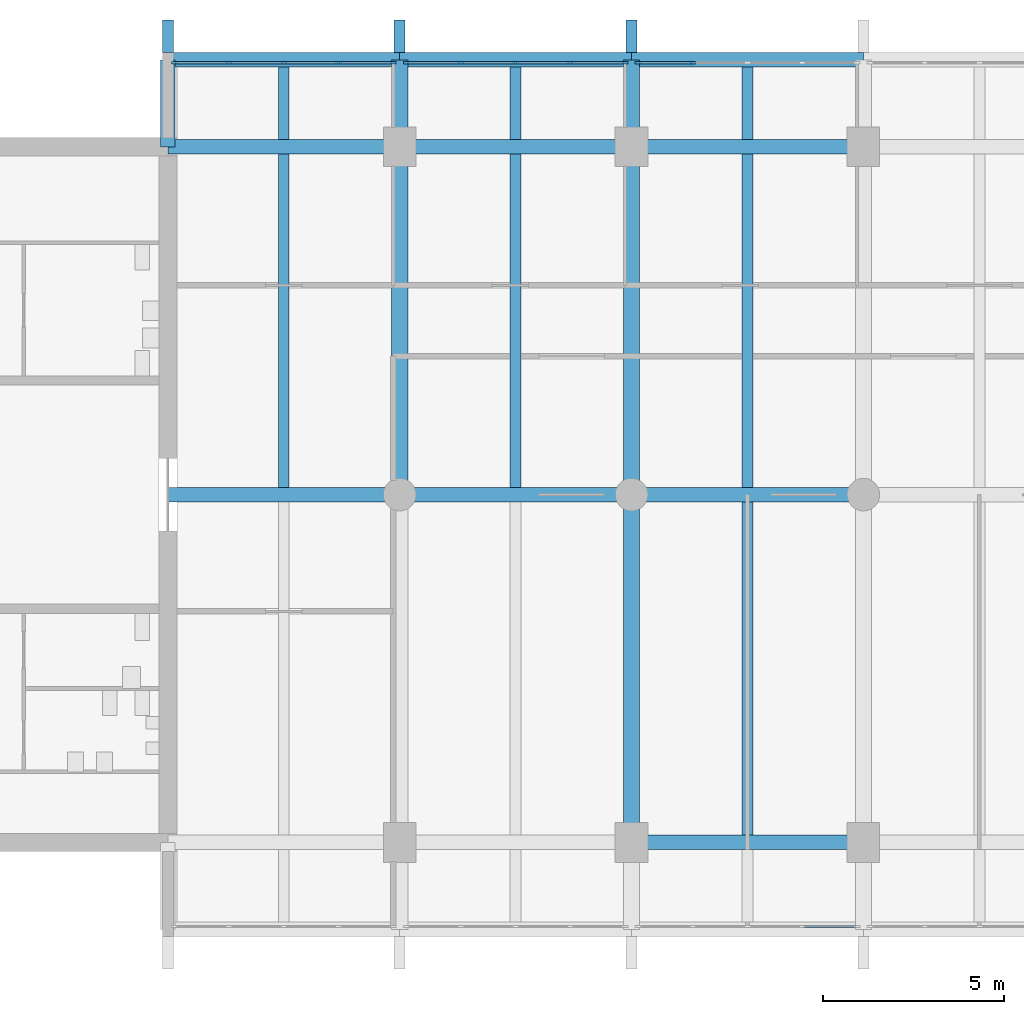
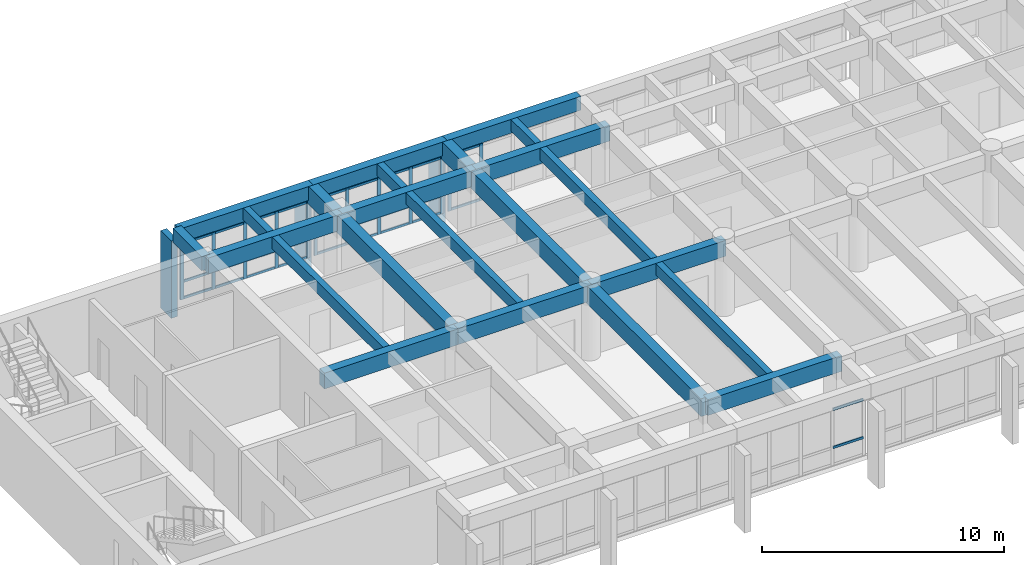
# One storey, part 3 of 15: 44 members, 23 beams, 4 elements without a shape of their own.
"""IFC4 building model written with IfcOpenShell, lengths in metres."""

from ifc_helpers import new_model, si_unit, direction, frame, origin, origin_2d, place, context, subcontext, project, spatial, rectangle, extrude, material, layer, layer_set, material_profile, profile_set, type_object, element, aggregate, save


model = new_model("IFC4")

# Units and contexts
model_context = context("Model", 3, precision=1e-05, world=origin(), true_north=direction((0.0, 1.0)))
body_context = subcontext(model_context, "Body", "Model", "MODEL_VIEW")
ifc_project = project(units=[si_unit("LENGTHUNIT", "METRE"), si_unit("AREAUNIT", "SQUARE_METRE"), si_unit("VOLUMEUNIT", "CUBIC_METRE"), si_unit("PLANEANGLEUNIT", "RADIAN"), si_unit("MASSUNIT", "GRAM", prefix="KILO")], contexts=[model_context])

# Site, building, storey
site_placement = place(None, origin())
site = spatial("IfcSite", under=ifc_project, at=site_placement, CompositionType="ELEMENT")
building_placement = place(site_placement, origin())
building = spatial("IfcBuilding", under=site, at=building_placement, Name="Fogon Plaza Fire Station and Headquarters Tower", CompositionType="ELEMENT")
storey_placement = place(building_placement, frame((0.0, 0.0, 44.39990234375)))
storey = spatial("IfcBuildingStorey", under=building, at=storey_placement, Name="L11", CompositionType="ELEMENT", Elevation=44.39990234375)

# Beams
ifc_material_1 = material(Name="Concrete C40", Category="concrete")
ifc_material_profile_1 = material_profile(ifc_material_1, rectangle(XDim=0.39990234375, YDim=0.699951171875, at=origin_2d()), Name="RC 400x700")
ifc_profile_set_1 = profile_set([ifc_material_profile_1], Name="Concrete C40")
beam_type_1 = type_object("IfcBeamType", Name="BEAM RC 400x700", PredefinedType="BEAM", material=ifc_profile_set_1)
for number, where, z_axis, x_axis, name in (
    (1, (25.60009765625, 55.199951171875, 3.330078125), (1.0, 0.0, 0.0), (0.0, 1.0, 0.0), "beam-L11-045"),
    (2, (32.0, 55.199951171875, 3.330078125), (1.0, 0.0, 0.0), (0.0, 1.0, 0.0), "beam-L11-046"),
):
    element("IfcBeam", number, at=place(storey_placement, frame(where, z_axis=z_axis, x_axis=x_axis)), inside=storey, type_object=beam_type_1, Name=name, PredefinedType="BEAM", context=body_context, shape_type="SweptSolid", body=[
        extrude(rectangle(XDim=0.39990234375, YDim=0.699951171875, at=origin_2d()), origin(), (0.0, 0.0, 1.0), 6.39990234375),
    ])
beam_1_placement = place(storey_placement, frame((38.39990234375, 55.199951171875, 3.330078125), z_axis=(1.0, 0.0, 0.0), x_axis=(0.0, 1.0, 0.0)))
element("IfcBeam", 3, at=beam_1_placement, inside=storey, type_object=beam_type_1, Name="beam-L11-047", PredefinedType="BEAM", context=body_context, shape_type="SweptSolid", body=[
    extrude(rectangle(XDim=0.39990234375, YDim=0.699951171875, at=origin_2d()), origin(), (0.0, 0.0, 1.0), 6.400146484375),
])
ifc_material_2 = material(Name="Concrete C40", Category="concrete")
ifc_material_profile_2 = material_profile(ifc_material_2, rectangle(XDim=0.39990234375, YDim=0.699951171875, at=origin_2d()), Name="RC 400x700")
ifc_profile_set_2 = profile_set([ifc_material_profile_2], Name="Concrete C40")
beam_type_2 = type_object("IfcBeamType", Name="BEAM RC 400x700 SPAN 0.0 TO 3.0 M", PredefinedType="BEAM", material=ifc_profile_set_2)
beam_2_placement = place(storey_placement, frame((25.60009765625, 52.800048828125, 3.330078125), z_axis=(0.0, 1.0, 0.0), x_axis=(-1.0, 0.0, 0.0)))
element("IfcBeam", 4, at=beam_2_placement, inside=storey, type_object=beam_type_2, Name="beam-L11-052", PredefinedType="BEAM", context=body_context, shape_type="SweptSolid", body=[
    extrude(rectangle(XDim=0.39990234375, YDim=0.699951171875, at=origin_2d()), origin(), (0.0, 0.0, 1.0), 2.39990234375),
])
ifc_material_3 = material(Name="Concrete C40", Category="concrete")
ifc_material_profile_3 = material_profile(ifc_material_3, rectangle(XDim=0.39990234375, YDim=0.800048828125, at=origin_2d()), Name="RC 400x800")
ifc_profile_set_3 = profile_set([ifc_material_profile_3], Name="Concrete C40")
beam_type_3 = type_object("IfcBeamType", Name="BEAM RC 400x800", PredefinedType="BEAM", material=ifc_profile_set_3)
beam_3_placement = place(storey_placement, frame((38.39990234375, 33.60009765625, 3.280029296875), z_axis=(1.0, 0.0, 0.0), x_axis=(0.0, 1.0, 0.0)))
element("IfcBeam", 5, at=beam_3_placement, inside=storey, type_object=beam_type_3, Name="beam-L11-023", PredefinedType="BEAM", context=body_context, shape_type="SweptSolid", body=[
    extrude(rectangle(XDim=0.39990234375, YDim=0.800048828125, at=origin_2d()), origin(), (0.0, 0.0, 1.0), 6.400146484375),
])
for number, where, z_axis, x_axis, name in (
    (6, (25.60009765625, 43.199951171875, 3.280029296875), (1.0, 0.0, 0.0), (0.0, 1.0, 0.0), "beam-L11-027"),
    (7, (32.0, 43.199951171875, 3.280029296875), (1.0, 0.0, 0.0), (0.0, 1.0, 0.0), "beam-L11-028"),
):
    element("IfcBeam", number, at=place(storey_placement, frame(where, z_axis=z_axis, x_axis=x_axis)), inside=storey, type_object=beam_type_3, Name=name, PredefinedType="BEAM", context=body_context, shape_type="SweptSolid", body=[
        extrude(rectangle(XDim=0.39990234375, YDim=0.800048828125, at=origin_2d()), origin(), (0.0, 0.0, 1.0), 6.39990234375),
    ])
beam_4_placement = place(storey_placement, frame((38.39990234375, 43.199951171875, 3.280029296875), z_axis=(1.0, 0.0, 0.0), x_axis=(0.0, 1.0, 0.0)))
element("IfcBeam", 8, at=beam_4_placement, inside=storey, type_object=beam_type_3, Name="beam-L11-029", PredefinedType="BEAM", context=body_context, shape_type="SweptSolid", body=[
    extrude(rectangle(XDim=0.39990234375, YDim=0.800048828125, at=origin_2d()), origin(), (0.0, 0.0, 1.0), 6.400146484375),
])
for number, where, z_axis, x_axis, name in (
    (9, (25.60009765625, 52.800048828125, 3.280029296875), (1.0, 0.0, 0.0), (0.0, 1.0, 0.0), "beam-L11-033"),
    (10, (32.0, 52.800048828125, 3.280029296875), (1.0, 0.0, 0.0), (0.0, 1.0, 0.0), "beam-L11-034"),
):
    element("IfcBeam", number, at=place(storey_placement, frame(where, z_axis=z_axis, x_axis=x_axis)), inside=storey, type_object=beam_type_3, Name=name, PredefinedType="BEAM", context=body_context, shape_type="SweptSolid", body=[
        extrude(rectangle(XDim=0.39990234375, YDim=0.800048828125, at=origin_2d()), origin(), (0.0, 0.0, 1.0), 6.39990234375),
    ])
beam_5_placement = place(storey_placement, frame((38.39990234375, 52.800048828125, 3.280029296875), z_axis=(1.0, 0.0, 0.0), x_axis=(0.0, 1.0, 0.0)))
element("IfcBeam", 11, at=beam_5_placement, inside=storey, type_object=beam_type_3, Name="beam-L11-035", PredefinedType="BEAM", context=body_context, shape_type="SweptSolid", body=[
    extrude(rectangle(XDim=0.39990234375, YDim=0.800048828125, at=origin_2d()), origin(), (0.0, 0.0, 1.0), 6.400146484375),
])
ifc_material_4 = material(Name="Concrete C40", Category="concrete")
ifc_material_profile_4 = material_profile(ifc_material_4, rectangle(XDim=0.449951171875, YDim=0.89990234375, at=origin_2d()), Name="RC 450x900")
ifc_profile_set_4 = profile_set([ifc_material_profile_4], Name="Concrete C40")
beam_type_4 = type_object("IfcBeamType", Name="BEAM RC 450x900", PredefinedType="BEAM", material=ifc_profile_set_4)
beam_6_placement = place(storey_placement, frame((32.0, 43.199951171875, 3.22998046875), z_axis=(0.0, 1.0, 0.0), x_axis=(-1.0, 0.0, 0.0)))
element("IfcBeam", 12, at=beam_6_placement, inside=storey, type_object=beam_type_4, Name="beam-L11-003", PredefinedType="BEAM", context=body_context, shape_type="SweptSolid", body=[
    extrude(rectangle(XDim=0.449951171875, YDim=0.89990234375, at=origin_2d()), origin(), (0.0, 0.0, 1.0), 9.60009765625),
])
beam_7_placement = place(storey_placement, frame((38.39990234375, 33.60009765625, 3.22998046875), z_axis=(0.0, 1.0, 0.0), x_axis=(-1.0, 0.0, 0.0)))
element("IfcBeam", 13, at=beam_7_placement, inside=storey, type_object=beam_type_4, Name="beam-L11-006", PredefinedType="BEAM", context=body_context, shape_type="SweptSolid", body=[
    extrude(rectangle(XDim=0.449951171875, YDim=0.89990234375, at=origin_2d()), origin(), (0.0, 0.0, 1.0), 9.599853515625),
])
beam_8_placement = place(storey_placement, frame((38.39990234375, 43.199951171875, 3.22998046875), z_axis=(0.0, 1.0, 0.0), x_axis=(-1.0, 0.0, 0.0)))
element("IfcBeam", 14, at=beam_8_placement, inside=storey, type_object=beam_type_4, Name="beam-L11-007", PredefinedType="BEAM", context=body_context, shape_type="SweptSolid", body=[
    extrude(rectangle(XDim=0.449951171875, YDim=0.89990234375, at=origin_2d()), origin(), (0.0, 0.0, 1.0), 9.60009765625),
])
ifc_material_5 = material(Name="Concrete C40", Category="concrete")
ifc_material_profile_5 = material_profile(ifc_material_5, rectangle(XDim=0.449951171875, YDim=0.89990234375, at=origin_2d()), Name="RC 450x900")
ifc_profile_set_5 = profile_set([ifc_material_profile_5], Name="Concrete C40")
beam_type_5 = type_object("IfcBeamType", Name="BEAM RC 450x900 SPAN 0.0 TO 3.0 M", PredefinedType="BEAM", material=ifc_profile_set_5)
for number, where, z_axis, x_axis, name in (
    (15, (32.0, 52.800048828125, 3.22998046875), (0.0, 1.0, 0.0), (-1.0, 0.0, 0.0), "beam-L11-004"),
    (16, (38.39990234375, 52.800048828125, 3.22998046875), (0.0, 1.0, 0.0), (-1.0, 0.0, 0.0), "beam-L11-008"),
):
    element("IfcBeam", number, at=place(storey_placement, frame(where, z_axis=z_axis, x_axis=x_axis)), inside=storey, type_object=beam_type_5, Name=name, PredefinedType="BEAM", context=body_context, shape_type="SweptSolid", body=[
        extrude(rectangle(XDim=0.449951171875, YDim=0.89990234375, at=origin_2d()), origin(), (0.0, 0.0, 1.0), 2.39990234375),
    ])

# Curtain wall, members
ifc_material_6 = material(Name="Aluminium and glass", Category="aluminium")
ifc_layer = layer(ifc_material_6, 0.14990234375)
ifc_layer_set = layer_set([ifc_layer], Name="Aluminium and glass")
curtain_wall_type = type_object("IfcCurtainWallType", Name="Unitised Curtain Wall Run 6100x2880", PredefinedType="NOTDEFINED", material=ifc_layer_set)
curtain_wall_1_placement = place(storey_placement, origin())
curtain_wall_1 = element("IfcCurtainWall", 17, at=curtain_wall_1_placement, inside=storey, type_object=curtain_wall_type, Name="CW-6100x2880 N1 L11", PredefinedType="NOTDEFINED")
ifc_material_7 = material(Name="Aluminium", Category="aluminium")
ifc_material_profile_6 = material_profile(ifc_material_7, rectangle(XDim=0.06005859375, YDim=0.159912109375, at=origin_2d()), Name="Curtain Wall Mullion 60x160")
ifc_profile_set_6 = profile_set([ifc_material_profile_6], Name="Aluminium")
member_type_1 = type_object("IfcMemberType", Name="Curtain Wall Mullion 60x160", PredefinedType="MULLION", material=ifc_profile_set_6)
member_1_placement = place(storey_placement, frame((25.780029296875, 55.1201171875, 0.0), z_axis=(0.0, 0.0, 1.0), x_axis=(0.0, 1.0, 0.0)))
member_1 = element("IfcMember", 18, at=member_1_placement, type_object=member_type_1, Name="CW-6100x2880 mullion 1", PredefinedType="MULLION", context=body_context, shape_type="SweptSolid", body=[
    extrude(rectangle(XDim=0.06005859375, YDim=0.159912109375, at=origin_2d()), origin(), (0.0, 0.0, 1.0), 2.880126953125),
])
member_2_placement = place(storey_placement, frame((27.2900390625, 55.1201171875, 0.0), z_axis=(0.0, 0.0, 1.0), x_axis=(0.0, 1.0, 0.0)))
member_2 = element("IfcMember", 19, at=member_2_placement, type_object=member_type_1, Name="CW-6100x2880 mullion 2", PredefinedType="MULLION", context=body_context, shape_type="SweptSolid", body=[
    extrude(rectangle(XDim=0.06005859375, YDim=0.159912109375, at=origin_2d()), origin(), (0.0, 0.0, 1.0), 2.880126953125),
])
member_3_placement = place(storey_placement, frame((28.800048828125, 55.1201171875, 0.0), z_axis=(0.0, 0.0, 1.0), x_axis=(0.0, 1.0, 0.0)))
member_3 = element("IfcMember", 20, at=member_3_placement, type_object=member_type_1, Name="CW-6100x2880 mullion 3", PredefinedType="MULLION", context=body_context, shape_type="SweptSolid", body=[
    extrude(rectangle(XDim=0.06005859375, YDim=0.159912109375, at=origin_2d()), origin(), (0.0, 0.0, 1.0), 2.880126953125),
])
member_4_placement = place(storey_placement, frame((30.31005859375, 55.1201171875, 0.0), z_axis=(0.0, 0.0, 1.0), x_axis=(0.0, 1.0, 0.0)))
member_4 = element("IfcMember", 21, at=member_4_placement, type_object=member_type_1, Name="CW-6100x2880 mullion 4", PredefinedType="MULLION", context=body_context, shape_type="SweptSolid", body=[
    extrude(rectangle(XDim=0.06005859375, YDim=0.159912109375, at=origin_2d()), origin(), (0.0, 0.0, 1.0), 2.880126953125),
])
member_5_placement = place(storey_placement, frame((31.820068359375, 55.1201171875, 0.0), z_axis=(0.0, 0.0, 1.0), x_axis=(0.0, 1.0, 0.0)))
member_5 = element("IfcMember", 22, at=member_5_placement, type_object=member_type_1, Name="CW-6100x2880 mullion 5", PredefinedType="MULLION", context=body_context, shape_type="SweptSolid", body=[
    extrude(rectangle(XDim=0.06005859375, YDim=0.159912109375, at=origin_2d()), origin(), (0.0, 0.0, 1.0), 2.880126953125),
])

curtain_wall_2_placement = place(storey_placement, origin())
curtain_wall_2 = element("IfcCurtainWall", 23, at=curtain_wall_2_placement, inside=storey, type_object=curtain_wall_type, Name="CW-6100x2880 N2 L11", PredefinedType="NOTDEFINED")
member_6_placement = place(storey_placement, frame((32.179931640625, 55.1201171875, 0.0), z_axis=(0.0, 0.0, 1.0), x_axis=(0.0, 1.0, 0.0)))
member_6 = element("IfcMember", 24, at=member_6_placement, type_object=member_type_1, Name="CW-6100x2880 mullion 1", PredefinedType="MULLION", context=body_context, shape_type="SweptSolid", body=[
    extrude(rectangle(XDim=0.06005859375, YDim=0.159912109375, at=origin_2d()), origin(), (0.0, 0.0, 1.0), 2.880126953125),
])
member_7_placement = place(storey_placement, frame((33.68994140625, 55.1201171875, 0.0), z_axis=(0.0, 0.0, 1.0), x_axis=(0.0, 1.0, 0.0)))
member_7 = element("IfcMember", 25, at=member_7_placement, type_object=member_type_1, Name="CW-6100x2880 mullion 2", PredefinedType="MULLION", context=body_context, shape_type="SweptSolid", body=[
    extrude(rectangle(XDim=0.06005859375, YDim=0.159912109375, at=origin_2d()), origin(), (0.0, 0.0, 1.0), 2.880126953125),
])
member_8_placement = place(storey_placement, frame((35.199951171875, 55.1201171875, 0.0), z_axis=(0.0, 0.0, 1.0), x_axis=(0.0, 1.0, 0.0)))
member_8 = element("IfcMember", 26, at=member_8_placement, type_object=member_type_1, Name="CW-6100x2880 mullion 3", PredefinedType="MULLION", context=body_context, shape_type="SweptSolid", body=[
    extrude(rectangle(XDim=0.06005859375, YDim=0.159912109375, at=origin_2d()), origin(), (0.0, 0.0, 1.0), 2.880126953125),
])
member_9_placement = place(storey_placement, frame((36.7099609375, 55.1201171875, 0.0), z_axis=(0.0, 0.0, 1.0), x_axis=(0.0, 1.0, 0.0)))
member_9 = element("IfcMember", 27, at=member_9_placement, type_object=member_type_1, Name="CW-6100x2880 mullion 4", PredefinedType="MULLION", context=body_context, shape_type="SweptSolid", body=[
    extrude(rectangle(XDim=0.06005859375, YDim=0.159912109375, at=origin_2d()), origin(), (0.0, 0.0, 1.0), 2.880126953125),
])
member_10_placement = place(storey_placement, frame((38.219970703125, 55.1201171875, 0.0), z_axis=(0.0, 0.0, 1.0), x_axis=(0.0, 1.0, 0.0)))
member_10 = element("IfcMember", 28, at=member_10_placement, type_object=member_type_1, Name="CW-6100x2880 mullion 5", PredefinedType="MULLION", context=body_context, shape_type="SweptSolid", body=[
    extrude(rectangle(XDim=0.06005859375, YDim=0.159912109375, at=origin_2d()), origin(), (0.0, 0.0, 1.0), 2.880126953125),
])

curtain_wall_3_placement = place(storey_placement, origin())
curtain_wall_3 = element("IfcCurtainWall", 29, at=curtain_wall_3_placement, inside=storey, type_object=curtain_wall_type, Name="CW-6100x2880 N3 L11", PredefinedType="NOTDEFINED")
member_11_placement = place(storey_placement, frame((38.580078125, 55.1201171875, 0.0), z_axis=(0.0, 0.0, 1.0), x_axis=(0.0, 1.0, 0.0)))
member_11 = element("IfcMember", 30, at=member_11_placement, type_object=member_type_1, Name="CW-6100x2880 mullion 1", PredefinedType="MULLION", context=body_context, shape_type="SweptSolid", body=[
    extrude(rectangle(XDim=0.06005859375, YDim=0.159912109375, at=origin_2d()), origin(), (0.0, 0.0, 1.0), 2.880126953125),
])
member_12_placement = place(storey_placement, frame((40.090087890625, 55.1201171875, 0.0), z_axis=(0.0, 0.0, 1.0), x_axis=(0.0, 1.0, 0.0)))
member_12 = element("IfcMember", 31, at=member_12_placement, type_object=member_type_1, Name="CW-6100x2880 mullion 2", PredefinedType="MULLION", context=body_context, shape_type="SweptSolid", body=[
    extrude(rectangle(XDim=0.06005859375, YDim=0.159912109375, at=origin_2d()), origin(), (0.0, 0.0, 1.0), 2.880126953125),
])

curtain_wall_4_placement = place(storey_placement, origin())
curtain_wall_4 = element("IfcCurtainWall", 32, at=curtain_wall_4_placement, inside=storey, type_object=curtain_wall_type, Name="CW-6100x2880 S3 L11", PredefinedType="NOTDEFINED")
ifc_material_8 = material(Name="Aluminium", Category="aluminium")
ifc_material_profile_7 = material_profile(ifc_material_8, rectangle(XDim=0.06005859375, YDim=0.1201171875, at=origin_2d()), Name="Curtain Wall Transom 60x120")
ifc_profile_set_7 = profile_set([ifc_material_profile_7], Name="Aluminium")
member_type_2 = type_object("IfcMemberType", Name="Curtain Wall Transom 60x120", PredefinedType="USERDEFINED", material=ifc_profile_set_7)
member_13_placement = place(storey_placement, frame((43.139892578125, 31.280029296875, 0.900146484375), z_axis=(1.0, 0.0, 0.0), x_axis=(0.0, 1.0, 0.0)))
member_13 = element("IfcMember", 33, at=member_13_placement, type_object=member_type_2, Name="CW-6100x2880 transom 4.2", ObjectType="TRANSOM", PredefinedType="USERDEFINED", context=body_context, shape_type="SweptSolid", body=[
    extrude(rectangle(XDim=0.06005859375, YDim=0.1201171875, at=origin_2d()), origin(), (0.0, 0.0, 1.0), 1.4501953125),
])
member_14_placement = place(storey_placement, frame((43.139892578125, 31.280029296875, 2.820068359375), z_axis=(1.0, 0.0, 0.0), x_axis=(0.0, 1.0, 0.0)))
member_14 = element("IfcMember", 34, at=member_14_placement, type_object=member_type_2, Name="CW-6100x2880 transom 4.3", ObjectType="TRANSOM", PredefinedType="USERDEFINED", context=body_context, shape_type="SweptSolid", body=[
    extrude(rectangle(XDim=0.06005859375, YDim=0.1201171875, at=origin_2d()), origin(), (0.0, 0.0, 1.0), 1.4501953125),
])
aggregate(curtain_wall_4, [member_13, member_14])

# Member
member_15_placement = place(storey_placement, frame((25.81005859375, 55.1201171875, 0.06005859375), z_axis=(1.0, 0.0, 0.0), x_axis=(0.0, 1.0, 0.0)))
member_15 = element("IfcMember", 35, at=member_15_placement, type_object=member_type_2, Name="CW-6100x2880 transom 1.1", ObjectType="TRANSOM", PredefinedType="USERDEFINED", context=body_context, shape_type="SweptSolid", body=[
    extrude(rectangle(XDim=0.06005859375, YDim=0.1201171875, at=origin_2d()), origin(), (0.0, 0.0, 1.0), 1.449951171875),
])

member_16_placement = place(storey_placement, frame((25.81005859375, 55.1201171875, 0.900146484375), z_axis=(1.0, 0.0, 0.0), x_axis=(0.0, 1.0, 0.0)))
member_16 = element("IfcMember", 36, at=member_16_placement, type_object=member_type_2, Name="CW-6100x2880 transom 1.2", ObjectType="TRANSOM", PredefinedType="USERDEFINED", context=body_context, shape_type="SweptSolid", body=[
    extrude(rectangle(XDim=0.06005859375, YDim=0.1201171875, at=origin_2d()), origin(), (0.0, 0.0, 1.0), 1.449951171875),
])

member_17_placement = place(storey_placement, frame((25.81005859375, 55.1201171875, 2.820068359375), z_axis=(1.0, 0.0, 0.0), x_axis=(0.0, 1.0, 0.0)))
member_17 = element("IfcMember", 37, at=member_17_placement, type_object=member_type_2, Name="CW-6100x2880 transom 1.3", ObjectType="TRANSOM", PredefinedType="USERDEFINED", context=body_context, shape_type="SweptSolid", body=[
    extrude(rectangle(XDim=0.06005859375, YDim=0.1201171875, at=origin_2d()), origin(), (0.0, 0.0, 1.0), 1.449951171875),
])

member_18_placement = place(storey_placement, frame((27.320068359375, 55.1201171875, 0.06005859375), z_axis=(1.0, 0.0, 0.0), x_axis=(0.0, 1.0, 0.0)))
member_18 = element("IfcMember", 38, at=member_18_placement, type_object=member_type_2, Name="CW-6100x2880 transom 2.1", ObjectType="TRANSOM", PredefinedType="USERDEFINED", context=body_context, shape_type="SweptSolid", body=[
    extrude(rectangle(XDim=0.06005859375, YDim=0.1201171875, at=origin_2d()), origin(), (0.0, 0.0, 1.0), 1.449951171875),
])

member_19_placement = place(storey_placement, frame((27.320068359375, 55.1201171875, 0.900146484375), z_axis=(1.0, 0.0, 0.0), x_axis=(0.0, 1.0, 0.0)))
member_19 = element("IfcMember", 39, at=member_19_placement, type_object=member_type_2, Name="CW-6100x2880 transom 2.2", ObjectType="TRANSOM", PredefinedType="USERDEFINED", context=body_context, shape_type="SweptSolid", body=[
    extrude(rectangle(XDim=0.06005859375, YDim=0.1201171875, at=origin_2d()), origin(), (0.0, 0.0, 1.0), 1.449951171875),
])

member_20_placement = place(storey_placement, frame((27.320068359375, 55.1201171875, 2.820068359375), z_axis=(1.0, 0.0, 0.0), x_axis=(0.0, 1.0, 0.0)))
member_20 = element("IfcMember", 40, at=member_20_placement, type_object=member_type_2, Name="CW-6100x2880 transom 2.3", ObjectType="TRANSOM", PredefinedType="USERDEFINED", context=body_context, shape_type="SweptSolid", body=[
    extrude(rectangle(XDim=0.06005859375, YDim=0.1201171875, at=origin_2d()), origin(), (0.0, 0.0, 1.0), 1.449951171875),
])

member_21_placement = place(storey_placement, frame((28.830078125, 55.1201171875, 0.06005859375), z_axis=(1.0, 0.0, 0.0), x_axis=(0.0, 1.0, 0.0)))
member_21 = element("IfcMember", 41, at=member_21_placement, type_object=member_type_2, Name="CW-6100x2880 transom 3.1", ObjectType="TRANSOM", PredefinedType="USERDEFINED", context=body_context, shape_type="SweptSolid", body=[
    extrude(rectangle(XDim=0.06005859375, YDim=0.1201171875, at=origin_2d()), origin(), (0.0, 0.0, 1.0), 1.449951171875),
])

member_22_placement = place(storey_placement, frame((28.830078125, 55.1201171875, 0.900146484375), z_axis=(1.0, 0.0, 0.0), x_axis=(0.0, 1.0, 0.0)))
member_22 = element("IfcMember", 42, at=member_22_placement, type_object=member_type_2, Name="CW-6100x2880 transom 3.2", ObjectType="TRANSOM", PredefinedType="USERDEFINED", context=body_context, shape_type="SweptSolid", body=[
    extrude(rectangle(XDim=0.06005859375, YDim=0.1201171875, at=origin_2d()), origin(), (0.0, 0.0, 1.0), 1.449951171875),
])

member_23_placement = place(storey_placement, frame((28.830078125, 55.1201171875, 2.820068359375), z_axis=(1.0, 0.0, 0.0), x_axis=(0.0, 1.0, 0.0)))
member_23 = element("IfcMember", 43, at=member_23_placement, type_object=member_type_2, Name="CW-6100x2880 transom 3.3", ObjectType="TRANSOM", PredefinedType="USERDEFINED", context=body_context, shape_type="SweptSolid", body=[
    extrude(rectangle(XDim=0.06005859375, YDim=0.1201171875, at=origin_2d()), origin(), (0.0, 0.0, 1.0), 1.449951171875),
])

member_24_placement = place(storey_placement, frame((30.340087890625, 55.1201171875, 0.06005859375), z_axis=(1.0, 0.0, 0.0), x_axis=(0.0, 1.0, 0.0)))
member_24 = element("IfcMember", 44, at=member_24_placement, type_object=member_type_2, Name="CW-6100x2880 transom 4.1", ObjectType="TRANSOM", PredefinedType="USERDEFINED", context=body_context, shape_type="SweptSolid", body=[
    extrude(rectangle(XDim=0.06005859375, YDim=0.1201171875, at=origin_2d()), origin(), (0.0, 0.0, 1.0), 1.449951171875),
])

member_25_placement = place(storey_placement, frame((30.340087890625, 55.1201171875, 0.900146484375), z_axis=(1.0, 0.0, 0.0), x_axis=(0.0, 1.0, 0.0)))
member_25 = element("IfcMember", 45, at=member_25_placement, type_object=member_type_2, Name="CW-6100x2880 transom 4.2", ObjectType="TRANSOM", PredefinedType="USERDEFINED", context=body_context, shape_type="SweptSolid", body=[
    extrude(rectangle(XDim=0.06005859375, YDim=0.1201171875, at=origin_2d()), origin(), (0.0, 0.0, 1.0), 1.449951171875),
])

member_26_placement = place(storey_placement, frame((30.340087890625, 55.1201171875, 2.820068359375), z_axis=(1.0, 0.0, 0.0), x_axis=(0.0, 1.0, 0.0)))
member_26 = element("IfcMember", 46, at=member_26_placement, type_object=member_type_2, Name="CW-6100x2880 transom 4.3", ObjectType="TRANSOM", PredefinedType="USERDEFINED", context=body_context, shape_type="SweptSolid", body=[
    extrude(rectangle(XDim=0.06005859375, YDim=0.1201171875, at=origin_2d()), origin(), (0.0, 0.0, 1.0), 1.449951171875),
])

aggregate(curtain_wall_1, [member_1, member_2, member_3, member_4, member_5, member_15, member_16, member_17, member_18, member_19, member_20, member_21, member_22, member_23, member_24, member_25, member_26])

member_27_placement = place(storey_placement, frame((32.2099609375, 55.1201171875, 0.06005859375), z_axis=(1.0, 0.0, 0.0), x_axis=(0.0, 1.0, 0.0)))
member_27 = element("IfcMember", 47, at=member_27_placement, type_object=member_type_2, Name="CW-6100x2880 transom 1.1", ObjectType="TRANSOM", PredefinedType="USERDEFINED", context=body_context, shape_type="SweptSolid", body=[
    extrude(rectangle(XDim=0.06005859375, YDim=0.1201171875, at=origin_2d()), origin(), (0.0, 0.0, 1.0), 1.449951171875),
])

member_28_placement = place(storey_placement, frame((32.2099609375, 55.1201171875, 0.900146484375), z_axis=(1.0, 0.0, 0.0), x_axis=(0.0, 1.0, 0.0)))
member_28 = element("IfcMember", 48, at=member_28_placement, type_object=member_type_2, Name="CW-6100x2880 transom 1.2", ObjectType="TRANSOM", PredefinedType="USERDEFINED", context=body_context, shape_type="SweptSolid", body=[
    extrude(rectangle(XDim=0.06005859375, YDim=0.1201171875, at=origin_2d()), origin(), (0.0, 0.0, 1.0), 1.449951171875),
])

member_29_placement = place(storey_placement, frame((32.2099609375, 55.1201171875, 2.820068359375), z_axis=(1.0, 0.0, 0.0), x_axis=(0.0, 1.0, 0.0)))
member_29 = element("IfcMember", 49, at=member_29_placement, type_object=member_type_2, Name="CW-6100x2880 transom 1.3", ObjectType="TRANSOM", PredefinedType="USERDEFINED", context=body_context, shape_type="SweptSolid", body=[
    extrude(rectangle(XDim=0.06005859375, YDim=0.1201171875, at=origin_2d()), origin(), (0.0, 0.0, 1.0), 1.449951171875),
])

member_30_placement = place(storey_placement, frame((33.719970703125, 55.1201171875, 0.06005859375), z_axis=(1.0, 0.0, 0.0), x_axis=(0.0, 1.0, 0.0)))
member_30 = element("IfcMember", 50, at=member_30_placement, type_object=member_type_2, Name="CW-6100x2880 transom 2.1", ObjectType="TRANSOM", PredefinedType="USERDEFINED", context=body_context, shape_type="SweptSolid", body=[
    extrude(rectangle(XDim=0.06005859375, YDim=0.1201171875, at=origin_2d()), origin(), (0.0, 0.0, 1.0), 1.449951171875),
])

member_31_placement = place(storey_placement, frame((33.719970703125, 55.1201171875, 0.900146484375), z_axis=(1.0, 0.0, 0.0), x_axis=(0.0, 1.0, 0.0)))
member_31 = element("IfcMember", 51, at=member_31_placement, type_object=member_type_2, Name="CW-6100x2880 transom 2.2", ObjectType="TRANSOM", PredefinedType="USERDEFINED", context=body_context, shape_type="SweptSolid", body=[
    extrude(rectangle(XDim=0.06005859375, YDim=0.1201171875, at=origin_2d()), origin(), (0.0, 0.0, 1.0), 1.449951171875),
])

member_32_placement = place(storey_placement, frame((33.719970703125, 55.1201171875, 2.820068359375), z_axis=(1.0, 0.0, 0.0), x_axis=(0.0, 1.0, 0.0)))
member_32 = element("IfcMember", 52, at=member_32_placement, type_object=member_type_2, Name="CW-6100x2880 transom 2.3", ObjectType="TRANSOM", PredefinedType="USERDEFINED", context=body_context, shape_type="SweptSolid", body=[
    extrude(rectangle(XDim=0.06005859375, YDim=0.1201171875, at=origin_2d()), origin(), (0.0, 0.0, 1.0), 1.449951171875),
])

member_33_placement = place(storey_placement, frame((35.22998046875, 55.1201171875, 0.06005859375), z_axis=(1.0, 0.0, 0.0), x_axis=(0.0, 1.0, 0.0)))
member_33 = element("IfcMember", 53, at=member_33_placement, type_object=member_type_2, Name="CW-6100x2880 transom 3.1", ObjectType="TRANSOM", PredefinedType="USERDEFINED", context=body_context, shape_type="SweptSolid", body=[
    extrude(rectangle(XDim=0.06005859375, YDim=0.1201171875, at=origin_2d()), origin(), (0.0, 0.0, 1.0), 1.449951171875),
])

member_34_placement = place(storey_placement, frame((35.22998046875, 55.1201171875, 0.900146484375), z_axis=(1.0, 0.0, 0.0), x_axis=(0.0, 1.0, 0.0)))
member_34 = element("IfcMember", 54, at=member_34_placement, type_object=member_type_2, Name="CW-6100x2880 transom 3.2", ObjectType="TRANSOM", PredefinedType="USERDEFINED", context=body_context, shape_type="SweptSolid", body=[
    extrude(rectangle(XDim=0.06005859375, YDim=0.1201171875, at=origin_2d()), origin(), (0.0, 0.0, 1.0), 1.449951171875),
])

member_35_placement = place(storey_placement, frame((35.22998046875, 55.1201171875, 2.820068359375), z_axis=(1.0, 0.0, 0.0), x_axis=(0.0, 1.0, 0.0)))
member_35 = element("IfcMember", 55, at=member_35_placement, type_object=member_type_2, Name="CW-6100x2880 transom 3.3", ObjectType="TRANSOM", PredefinedType="USERDEFINED", context=body_context, shape_type="SweptSolid", body=[
    extrude(rectangle(XDim=0.06005859375, YDim=0.1201171875, at=origin_2d()), origin(), (0.0, 0.0, 1.0), 1.449951171875),
])

member_36_placement = place(storey_placement, frame((36.739990234375, 55.1201171875, 0.06005859375), z_axis=(1.0, 0.0, 0.0), x_axis=(0.0, 1.0, 0.0)))
member_36 = element("IfcMember", 56, at=member_36_placement, type_object=member_type_2, Name="CW-6100x2880 transom 4.1", ObjectType="TRANSOM", PredefinedType="USERDEFINED", context=body_context, shape_type="SweptSolid", body=[
    extrude(rectangle(XDim=0.06005859375, YDim=0.1201171875, at=origin_2d()), origin(), (0.0, 0.0, 1.0), 1.449951171875),
])

member_37_placement = place(storey_placement, frame((36.739990234375, 55.1201171875, 0.900146484375), z_axis=(1.0, 0.0, 0.0), x_axis=(0.0, 1.0, 0.0)))
member_37 = element("IfcMember", 57, at=member_37_placement, type_object=member_type_2, Name="CW-6100x2880 transom 4.2", ObjectType="TRANSOM", PredefinedType="USERDEFINED", context=body_context, shape_type="SweptSolid", body=[
    extrude(rectangle(XDim=0.06005859375, YDim=0.1201171875, at=origin_2d()), origin(), (0.0, 0.0, 1.0), 1.449951171875),
])

member_38_placement = place(storey_placement, frame((36.739990234375, 55.1201171875, 2.820068359375), z_axis=(1.0, 0.0, 0.0), x_axis=(0.0, 1.0, 0.0)))
member_38 = element("IfcMember", 58, at=member_38_placement, type_object=member_type_2, Name="CW-6100x2880 transom 4.3", ObjectType="TRANSOM", PredefinedType="USERDEFINED", context=body_context, shape_type="SweptSolid", body=[
    extrude(rectangle(XDim=0.06005859375, YDim=0.1201171875, at=origin_2d()), origin(), (0.0, 0.0, 1.0), 1.449951171875),
])

aggregate(curtain_wall_2, [member_6, member_7, member_8, member_9, member_10, member_27, member_28, member_29, member_30, member_31, member_32, member_33, member_34, member_35, member_36, member_37, member_38])

member_39_placement = place(storey_placement, frame((38.610107421875, 55.1201171875, 0.06005859375), z_axis=(1.0, 0.0, 0.0), x_axis=(0.0, 1.0, 0.0)))
member_39 = element("IfcMember", 59, at=member_39_placement, type_object=member_type_2, Name="CW-6100x2880 transom 1.1", ObjectType="TRANSOM", PredefinedType="USERDEFINED", context=body_context, shape_type="SweptSolid", body=[
    extrude(rectangle(XDim=0.06005859375, YDim=0.1201171875, at=origin_2d()), origin(), (0.0, 0.0, 1.0), 1.449951171875),
])

member_40_placement = place(storey_placement, frame((38.610107421875, 55.1201171875, 0.900146484375), z_axis=(1.0, 0.0, 0.0), x_axis=(0.0, 1.0, 0.0)))
member_40 = element("IfcMember", 60, at=member_40_placement, type_object=member_type_2, Name="CW-6100x2880 transom 1.2", ObjectType="TRANSOM", PredefinedType="USERDEFINED", context=body_context, shape_type="SweptSolid", body=[
    extrude(rectangle(XDim=0.06005859375, YDim=0.1201171875, at=origin_2d()), origin(), (0.0, 0.0, 1.0), 1.449951171875),
])

member_41_placement = place(storey_placement, frame((38.610107421875, 55.1201171875, 2.820068359375), z_axis=(1.0, 0.0, 0.0), x_axis=(0.0, 1.0, 0.0)))
member_41 = element("IfcMember", 61, at=member_41_placement, type_object=member_type_2, Name="CW-6100x2880 transom 1.3", ObjectType="TRANSOM", PredefinedType="USERDEFINED", context=body_context, shape_type="SweptSolid", body=[
    extrude(rectangle(XDim=0.06005859375, YDim=0.1201171875, at=origin_2d()), origin(), (0.0, 0.0, 1.0), 1.449951171875),
])

aggregate(curtain_wall_3, [member_11, member_12, member_39, member_40, member_41])

# Beams
ifc_material_9 = material(Name="Concrete C40", Category="concrete")
ifc_material_profile_8 = material_profile(ifc_material_9, rectangle(XDim=0.300048828125, YDim=0.60009765625, at=origin_2d()), Name="RC 300x600")
ifc_profile_set_8 = profile_set([ifc_material_profile_8], Name="Concrete C40")
beam_type_6 = type_object("IfcBeamType", Name="JOIST RC 300x600", PredefinedType="JOIST", material=ifc_profile_set_8)
for number, where, z_axis, x_axis, name in (
    (62, (28.800048828125, 43.39990234375, 3.380126953125), (0.0, 1.0, 0.0), (-1.0, 0.0, 0.0), "beam-L11-057"),
    (63, (35.199951171875, 43.39990234375, 3.380126953125), (0.0, 1.0, 0.0), (-1.0, 0.0, 0.0), "beam-L11-061"),
):
    element("IfcBeam", number, at=place(storey_placement, frame(where, z_axis=z_axis, x_axis=x_axis)), inside=storey, type_object=beam_type_6, Name=name, PredefinedType="JOIST", context=body_context, shape_type="SweptSolid", body=[
        extrude(rectangle(XDim=0.300048828125, YDim=0.60009765625, at=origin_2d()), origin(), (0.0, 0.0, 1.0), 9.2001953125),
    ])
beam_9_placement = place(storey_placement, frame((41.60009765625, 33.800048828125, 3.380126953125), z_axis=(0.0, 1.0, 0.0), x_axis=(-1.0, 0.0, 0.0)))
element("IfcBeam", 64, at=beam_9_placement, inside=storey, type_object=beam_type_6, Name="beam-L11-064", PredefinedType="JOIST", context=body_context, shape_type="SweptSolid", body=[
    extrude(rectangle(XDim=0.300048828125, YDim=0.60009765625, at=origin_2d()), origin(), (0.0, 0.0, 1.0), 9.199951171875),
])
beam_10_placement = place(storey_placement, frame((41.60009765625, 43.39990234375, 3.380126953125), z_axis=(0.0, 1.0, 0.0), x_axis=(-1.0, 0.0, 0.0)))
element("IfcBeam", 65, at=beam_10_placement, inside=storey, type_object=beam_type_6, Name="beam-L11-065", PredefinedType="JOIST", context=body_context, shape_type="SweptSolid", body=[
    extrude(rectangle(XDim=0.300048828125, YDim=0.60009765625, at=origin_2d()), origin(), (0.0, 0.0, 1.0), 9.2001953125),
])
ifc_material_10 = material(Name="Concrete C40", Category="concrete")
ifc_material_profile_9 = material_profile(ifc_material_10, rectangle(XDim=0.300048828125, YDim=0.60009765625, at=origin_2d()), Name="RC 300x600")
ifc_profile_set_9 = profile_set([ifc_material_profile_9], Name="Concrete C40")
beam_type_7 = type_object("IfcBeamType", Name="JOIST RC 300x600 SPAN 0.0 TO 3.0 M", PredefinedType="JOIST", material=ifc_profile_set_9)
for number, where, z_axis, x_axis, name in (
    (66, (28.800048828125, 53.0, 3.380126953125), (0.0, 1.0, 0.0), (-1.0, 0.0, 0.0), "beam-L11-058"),
    (67, (35.199951171875, 53.0, 3.380126953125), (0.0, 1.0, 0.0), (-1.0, 0.0, 0.0), "beam-L11-062"),
    (68, (41.60009765625, 53.0, 3.380126953125), (0.0, 1.0, 0.0), (-1.0, 0.0, 0.0), "beam-L11-066"),
):
    element("IfcBeam", number, at=place(storey_placement, frame(where, z_axis=z_axis, x_axis=x_axis)), inside=storey, type_object=beam_type_7, Name=name, PredefinedType="JOIST", context=body_context, shape_type="SweptSolid", body=[
        extrude(rectangle(XDim=0.300048828125, YDim=0.60009765625, at=origin_2d()), origin(), (0.0, 0.0, 1.0), 2.0),
    ])

# Members
ifc_material_11 = material(Name="Concrete C40 precast", Category="concrete")
ifc_material_profile_10 = material_profile(ifc_material_11, rectangle(XDim=0.300048828125, YDim=0.89990234375, at=origin_2d()), Name="Precast Concrete Post 300x900")
ifc_profile_set_10 = profile_set([ifc_material_profile_10], Name="Concrete C40 precast")
member_type_3 = type_object("IfcMemberType", Name="Precast Concrete Post 300x900", PredefinedType="POST", material=ifc_profile_set_10)
for number, where, z_axis, x_axis, name in (
    (69, (25.60009765625, 55.85009765625, -1.02001953125), (0.0, 0.0, 1.0), (1.0, 0.0, 0.0), "Precast Post N L11"),
    (70, (32.0, 55.85009765625, -1.02001953125), (0.0, 0.0, 1.0), (1.0, 0.0, 0.0), "Precast Post N L11"),
    (71, (38.39990234375, 55.85009765625, -1.02001953125), (0.0, 0.0, 1.0), (1.0, 0.0, 0.0), "Precast Post N L11"),
):
    element("IfcMember", number, at=place(storey_placement, frame(where, z_axis=z_axis, x_axis=x_axis)), inside=storey, type_object=member_type_3, Name=name, PredefinedType="POST", context=body_context, shape_type="SweptSolid", body=[
        extrude(rectangle(XDim=0.300048828125, YDim=0.89990234375, at=origin_2d()), origin(), (0.0, 0.0, 1.0), 3.900146484375),
    ])

save(model, "model.ifc")
